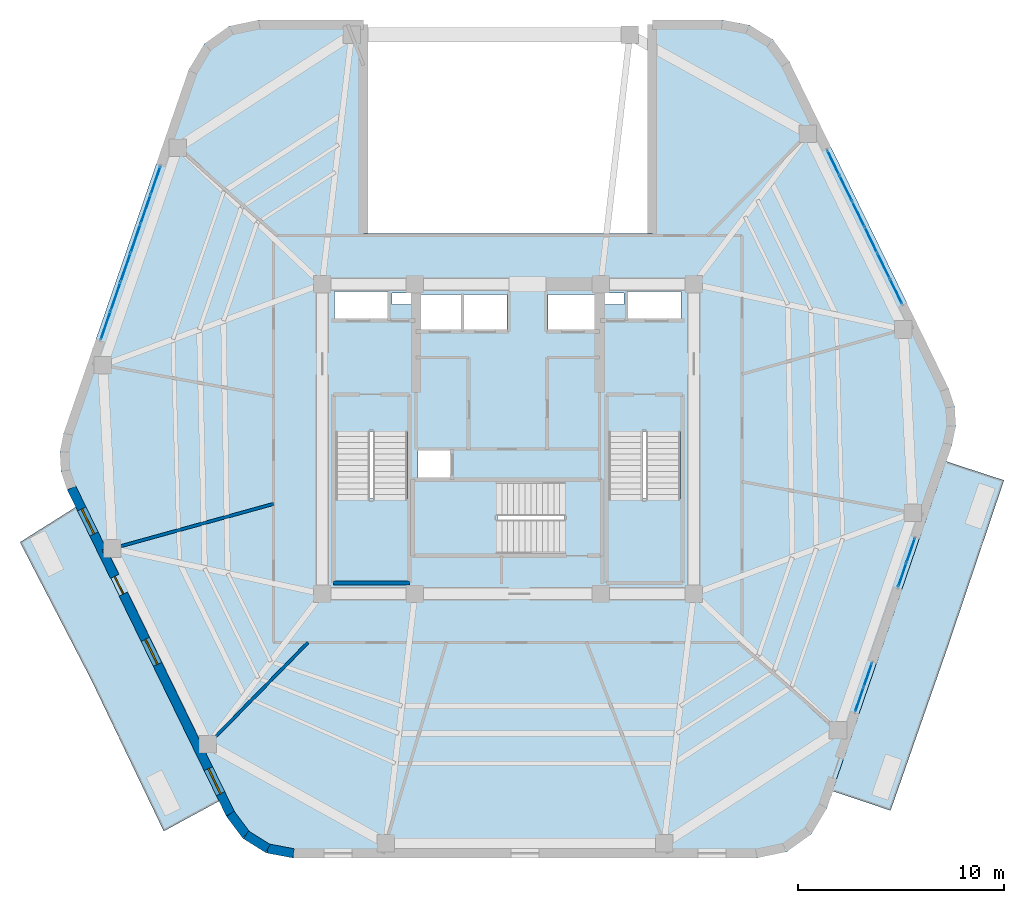
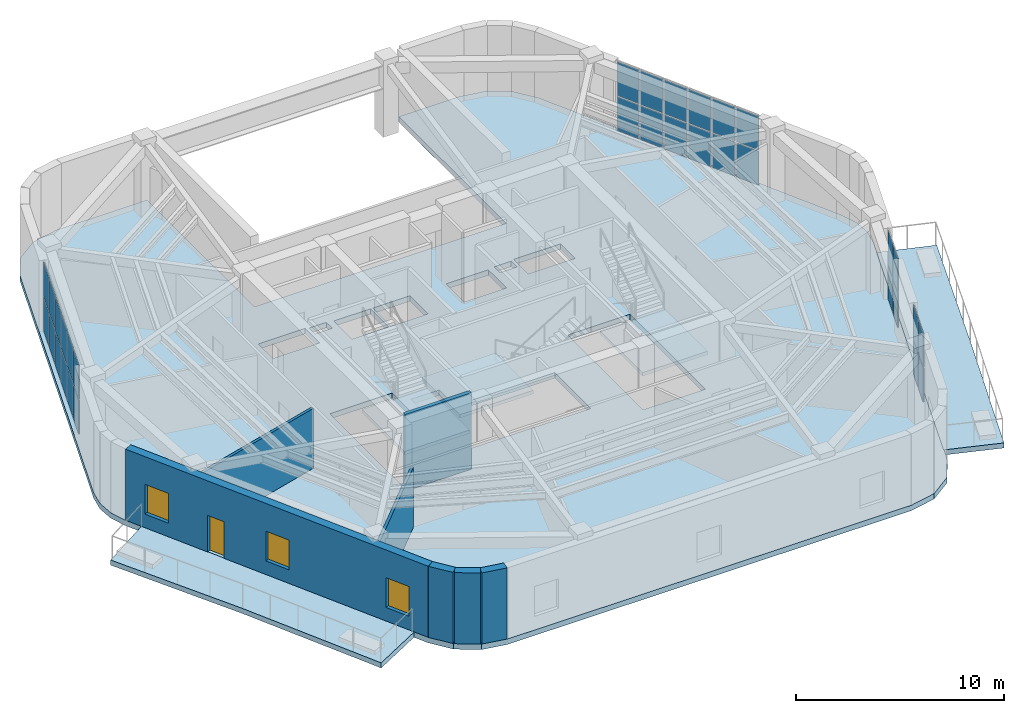
# One storey, part 10 of 15: 32 plates, 7 walls, 6 slabs, 3 windows, 1 door, 4 openings, 7 elements without a shape of their own.
"""IFC4 building model written with IfcOpenShell, lengths in metres."""

from ifc_helpers import new_model, si_unit, direction, frame, frame_2d, origin, origin_2d, place, context, subcontext, project, spatial, polyline, rectangle, outline, extrude, material, layer, layer_set, type_object, element, fill, aggregate, save


model = new_model("IFC4")

# Units and contexts
model_context = context("Model", 3, precision=1e-05, world=origin(), true_north=direction((0.0, 1.0)))
body_context = subcontext(model_context, "Body", "Model", "MODEL_VIEW")
ifc_project = project(units=[si_unit("LENGTHUNIT", "METRE"), si_unit("AREAUNIT", "SQUARE_METRE"), si_unit("VOLUMEUNIT", "CUBIC_METRE"), si_unit("PLANEANGLEUNIT", "RADIAN"), si_unit("MASSUNIT", "GRAM", prefix="KILO")], contexts=[model_context])

# Site, building, storey
site_placement = place(None, origin())
site = spatial("IfcSite", under=ifc_project, at=site_placement, CompositionType="ELEMENT")
building_placement = place(site_placement, origin())
building = spatial("IfcBuilding", under=site, at=building_placement, Name="Kilnhurst Terrace Hotel", CompositionType="ELEMENT")
storey_placement = place(building_placement, frame((0.0, 0.0, 293.10009765625)))
storey = spatial("IfcBuildingStorey", under=building, at=storey_placement, Name="L73", CompositionType="ELEMENT", Elevation=293.10009765625)

# Curtain wall, plates
ifc_material_1 = material(Name="Anodized Aluminium Alloy 6063-T6 and Low-E Glass", Category="aluminium")
ifc_layer_1 = layer(ifc_material_1, 0.219970703125, Name="Anodized Aluminium Alloy 6063-T6 and Low-E Glass")
ifc_layer_set_1 = layer_set([ifc_layer_1], Name="Anodized Aluminium Alloy 6063-T6 and Low-E Glass")
curtain_wall_type = type_object("IfcCurtainWallType", Name="CW-PORTAL-L72", PredefinedType="NOTDEFINED", material=ifc_layer_set_1)
curtain_wall_1_placement = place(storey_placement, origin())
curtain_wall_1 = element("IfcCurtainWall", 1, at=curtain_wall_1_placement, inside=storey, type_object=curtain_wall_type, Name="L73 Curtain Wall CW-L73-F2-1", PredefinedType="NOTDEFINED")
ifc_material_2 = material(Name="Triple Laminated Low-E Hurricane Insulated Glass", Category="glass")
ifc_layer_2 = layer(ifc_material_2, 0.0380859375, Name="Triple Laminated Low-E Hurricane Insulated Glass")
ifc_layer_set_2 = layer_set([ifc_layer_2], Name="Triple Laminated Low-E Hurricane Insulated Glass")
plate_type = type_object("IfcPlateType", Name="PNL-GLZ-38", PredefinedType="CURTAIN_PANEL", material=ifc_layer_set_2)
plate_1_placement = place(storey_placement, frame((17.03564453125, -12.617431640625, 0.06494140625), z_axis=(0.0, 0.0, 1.0), x_axis=(0.325409429323, 0.945573214145, 0.0)))
plate_1 = element("IfcPlate", 2, at=plate_1_placement, type_object=plate_type, Name="CWP-5 panel 1.1", PredefinedType="CURTAIN_PANEL", context=body_context, shape_type="SweptSolid", body=[
    extrude(rectangle(XDim=1.19091796875, YDim=0.0380859375, at=origin_2d()), origin(), (0.0, 0.0, 1.0), 1.992431640625),
])
plate_2_placement = place(storey_placement, frame((17.03564453125, -12.617431640625, 2.12255859375), z_axis=(0.0, 0.0, 1.0), x_axis=(0.325409429323, 0.945573214145, 0.0)))
plate_2 = element("IfcPlate", 3, at=plate_2_placement, type_object=plate_type, Name="CWP-5 panel 1.2", PredefinedType="CURTAIN_PANEL", context=body_context, shape_type="SweptSolid", body=[
    extrude(rectangle(XDim=1.19091796875, YDim=0.0380859375, at=origin_2d()), origin(), (0.0, 0.0, 1.0), 1.992431640625),
])
plate_3_placement = place(storey_placement, frame((17.444580078125, -11.429931640625, 0.06494140625), z_axis=(0.0, 0.0, 1.0), x_axis=(0.325409429323, 0.945573214145, 0.0)))
plate_3 = element("IfcPlate", 4, at=plate_3_placement, type_object=plate_type, Name="CWP-5 panel 2.1", PredefinedType="CURTAIN_PANEL", context=body_context, shape_type="SweptSolid", body=[
    extrude(rectangle(XDim=1.19091796875, YDim=0.0380859375, at=origin_2d()), origin(), (0.0, 0.0, 1.0), 1.992431640625),
])
plate_4_placement = place(storey_placement, frame((17.444580078125, -11.429931640625, 2.12255859375), z_axis=(0.0, 0.0, 1.0), x_axis=(0.325409429323, 0.945573214145, 0.0)))
plate_4 = element("IfcPlate", 5, at=plate_4_placement, type_object=plate_type, Name="CWP-5 panel 2.2", PredefinedType="CURTAIN_PANEL", context=body_context, shape_type="SweptSolid", body=[
    extrude(rectangle(XDim=1.19091796875, YDim=0.0380859375, at=origin_2d()), origin(), (0.0, 0.0, 1.0), 1.992431640625),
])
aggregate(curtain_wall_1, [plate_1, plate_2, plate_3, plate_4])

curtain_wall_2_placement = place(storey_placement, origin())
curtain_wall_2 = element("IfcCurtainWall", 6, at=curtain_wall_2_placement, inside=storey, type_object=curtain_wall_type, Name="L73 Curtain Wall CW-L73-F2-2", PredefinedType="NOTDEFINED")
plate_5_placement = place(storey_placement, frame((19.11083984375, -6.587646484375, 0.06494140625), z_axis=(0.0, 0.0, 1.0), x_axis=(0.325386673117, 0.945581045156, 0.0)))
plate_5 = element("IfcPlate", 7, at=plate_5_placement, type_object=plate_type, Name="CWP-5 panel 1.1", PredefinedType="CURTAIN_PANEL", context=body_context, shape_type="SweptSolid", body=[
    extrude(rectangle(XDim=1.19091796875, YDim=0.0380859375, at=origin_2d()), origin(), (0.0, 0.0, 1.0), 1.992431640625),
])
plate_6_placement = place(storey_placement, frame((19.11083984375, -6.587646484375, 2.12255859375), z_axis=(0.0, 0.0, 1.0), x_axis=(0.325386673117, 0.945581045156, 0.0)))
plate_6 = element("IfcPlate", 8, at=plate_6_placement, type_object=plate_type, Name="CWP-5 panel 1.2", PredefinedType="CURTAIN_PANEL", context=body_context, shape_type="SweptSolid", body=[
    extrude(rectangle(XDim=1.19091796875, YDim=0.0380859375, at=origin_2d()), origin(), (0.0, 0.0, 1.0), 1.992431640625),
])
plate_7_placement = place(storey_placement, frame((19.51953125, -5.39990234375, 0.06494140625), z_axis=(0.0, 0.0, 1.0), x_axis=(0.325386673117, 0.945581045156, 0.0)))
plate_7 = element("IfcPlate", 9, at=plate_7_placement, type_object=plate_type, Name="CWP-5 panel 2.1", PredefinedType="CURTAIN_PANEL", context=body_context, shape_type="SweptSolid", body=[
    extrude(rectangle(XDim=1.19091796875, YDim=0.0380859375, at=origin_2d()), origin(), (0.0, 0.0, 1.0), 1.992431640625),
])
plate_8_placement = place(storey_placement, frame((19.51953125, -5.39990234375, 2.12255859375), z_axis=(0.0, 0.0, 1.0), x_axis=(0.325386673117, 0.945581045156, 0.0)))
plate_8 = element("IfcPlate", 10, at=plate_8_placement, type_object=plate_type, Name="CWP-5 panel 2.2", PredefinedType="CURTAIN_PANEL", context=body_context, shape_type="SweptSolid", body=[
    extrude(rectangle(XDim=1.19091796875, YDim=0.0380859375, at=origin_2d()), origin(), (0.0, 0.0, 1.0), 1.992431640625),
])
aggregate(curtain_wall_2, [plate_5, plate_6, plate_7, plate_8])

curtain_wall_3_placement = place(storey_placement, origin())
curtain_wall_3 = element("IfcCurtainWall", 11, at=curtain_wall_3_placement, inside=storey, type_object=curtain_wall_type, Name="L73 Curtain Wall CW-L73-F3-1", PredefinedType="NOTDEFINED")
plate_9_placement = place(storey_placement, frame((18.808349609375, 7.151123046875, 0.06494140625), z_axis=(0.0, 0.0, 1.0), x_axis=(-0.438129526683, 0.898911852101, 0.0)))
plate_9 = element("IfcPlate", 12, at=plate_9_placement, type_object=plate_type, Name="CWP-5 panel 1.1", PredefinedType="CURTAIN_PANEL", context=body_context, shape_type="SweptSolid", body=[
    extrude(rectangle(XDim=1.2958984375, YDim=0.0380859375, at=origin_2d()), origin(), (0.0, 0.0, 1.0), 1.992431640625),
])
plate_10_placement = place(storey_placement, frame((18.808349609375, 7.151123046875, 2.12255859375), z_axis=(0.0, 0.0, 1.0), x_axis=(-0.438129526683, 0.898911852101, 0.0)))
plate_10 = element("IfcPlate", 13, at=plate_10_placement, type_object=plate_type, Name="CWP-5 panel 1.2", PredefinedType="CURTAIN_PANEL", context=body_context, shape_type="SweptSolid", body=[
    extrude(rectangle(XDim=1.2958984375, YDim=0.0380859375, at=origin_2d()), origin(), (0.0, 0.0, 1.0), 1.992431640625),
])
plate_11_placement = place(storey_placement, frame((18.205078125, 8.38916015625, 0.06494140625), z_axis=(0.0, 0.0, 1.0), x_axis=(-0.438129526683, 0.898911852101, 0.0)))
plate_11 = element("IfcPlate", 14, at=plate_11_placement, type_object=plate_type, Name="CWP-5 panel 2.1", PredefinedType="CURTAIN_PANEL", context=body_context, shape_type="SweptSolid", body=[
    extrude(rectangle(XDim=1.32861328125, YDim=0.0380859375, at=origin_2d()), origin(), (0.0, 0.0, 1.0), 1.992431640625),
])
plate_12_placement = place(storey_placement, frame((18.205078125, 8.38916015625, 2.12255859375), z_axis=(0.0, 0.0, 1.0), x_axis=(-0.438129526683, 0.898911852101, 0.0)))
plate_12 = element("IfcPlate", 15, at=plate_12_placement, type_object=plate_type, Name="CWP-5 panel 2.2", PredefinedType="CURTAIN_PANEL", context=body_context, shape_type="SweptSolid", body=[
    extrude(rectangle(XDim=1.32861328125, YDim=0.0380859375, at=origin_2d()), origin(), (0.0, 0.0, 1.0), 1.992431640625),
])
plate_13_placement = place(storey_placement, frame((17.594482421875, 9.641845703125, 0.06494140625), z_axis=(0.0, 0.0, 1.0), x_axis=(-0.438129526683, 0.898911852101, 0.0)))
plate_13 = element("IfcPlate", 16, at=plate_13_placement, type_object=plate_type, Name="CWP-5 panel 3.1", PredefinedType="CURTAIN_PANEL", context=body_context, shape_type="SweptSolid", body=[
    extrude(rectangle(XDim=1.32861328125, YDim=0.0380859375, at=origin_2d()), origin(), (0.0, 0.0, 1.0), 1.992431640625),
])
plate_14_placement = place(storey_placement, frame((17.594482421875, 9.641845703125, 2.12255859375), z_axis=(0.0, 0.0, 1.0), x_axis=(-0.438129526683, 0.898911852101, 0.0)))
plate_14 = element("IfcPlate", 17, at=plate_14_placement, type_object=plate_type, Name="CWP-5 panel 3.2", PredefinedType="CURTAIN_PANEL", context=body_context, shape_type="SweptSolid", body=[
    extrude(rectangle(XDim=1.32861328125, YDim=0.0380859375, at=origin_2d()), origin(), (0.0, 0.0, 1.0), 1.992431640625),
])
plate_15_placement = place(storey_placement, frame((16.98388671875, 10.89453125, 0.06494140625), z_axis=(0.0, 0.0, 1.0), x_axis=(-0.438129526683, 0.898911852101, 0.0)))
plate_15 = element("IfcPlate", 18, at=plate_15_placement, type_object=plate_type, Name="CWP-5 panel 4.1", PredefinedType="CURTAIN_PANEL", context=body_context, shape_type="SweptSolid", body=[
    extrude(rectangle(XDim=1.32861328125, YDim=0.0380859375, at=origin_2d()), origin(), (0.0, 0.0, 1.0), 1.992431640625),
])
plate_16_placement = place(storey_placement, frame((16.98388671875, 10.89453125, 2.12255859375), z_axis=(0.0, 0.0, 1.0), x_axis=(-0.438129526683, 0.898911852101, 0.0)))
plate_16 = element("IfcPlate", 19, at=plate_16_placement, type_object=plate_type, Name="CWP-5 panel 4.2", PredefinedType="CURTAIN_PANEL", context=body_context, shape_type="SweptSolid", body=[
    extrude(rectangle(XDim=1.32861328125, YDim=0.0380859375, at=origin_2d()), origin(), (0.0, 0.0, 1.0), 1.992431640625),
])
plate_17_placement = place(storey_placement, frame((16.373291015625, 12.147216796875, 0.06494140625), z_axis=(0.0, 0.0, 1.0), x_axis=(-0.438129526683, 0.898911852101, 0.0)))
plate_17 = element("IfcPlate", 20, at=plate_17_placement, type_object=plate_type, Name="CWP-5 panel 5.1", PredefinedType="CURTAIN_PANEL", context=body_context, shape_type="SweptSolid", body=[
    extrude(rectangle(XDim=1.32861328125, YDim=0.0380859375, at=origin_2d()), origin(), (0.0, 0.0, 1.0), 1.992431640625),
])
plate_18_placement = place(storey_placement, frame((16.373291015625, 12.147216796875, 2.12255859375), z_axis=(0.0, 0.0, 1.0), x_axis=(-0.438129526683, 0.898911852101, 0.0)))
plate_18 = element("IfcPlate", 21, at=plate_18_placement, type_object=plate_type, Name="CWP-5 panel 5.2", PredefinedType="CURTAIN_PANEL", context=body_context, shape_type="SweptSolid", body=[
    extrude(rectangle(XDim=1.32861328125, YDim=0.0380859375, at=origin_2d()), origin(), (0.0, 0.0, 1.0), 1.992431640625),
])
plate_19_placement = place(storey_placement, frame((15.77001953125, 13.38525390625, 0.06494140625), z_axis=(0.0, 0.0, 1.0), x_axis=(-0.438129526683, 0.898911852101, 0.0)))
plate_19 = element("IfcPlate", 22, at=plate_19_placement, type_object=plate_type, Name="CWP-5 panel 6.1", PredefinedType="CURTAIN_PANEL", context=body_context, shape_type="SweptSolid", body=[
    extrude(rectangle(XDim=1.2958984375, YDim=0.0380859375, at=origin_2d()), origin(), (0.0, 0.0, 1.0), 1.992431640625),
])
plate_20_placement = place(storey_placement, frame((15.77001953125, 13.38525390625, 2.12255859375), z_axis=(0.0, 0.0, 1.0), x_axis=(-0.438129526683, 0.898911852101, 0.0)))
plate_20 = element("IfcPlate", 23, at=plate_20_placement, type_object=plate_type, Name="CWP-5 panel 6.2", PredefinedType="CURTAIN_PANEL", context=body_context, shape_type="SweptSolid", body=[
    extrude(rectangle(XDim=1.2958984375, YDim=0.0380859375, at=origin_2d()), origin(), (0.0, 0.0, 1.0), 1.992431640625),
])
aggregate(curtain_wall_3, [plate_9, plate_10, plate_11, plate_12, plate_13, plate_14, plate_15, plate_16, plate_17, plate_18, plate_19, plate_20])

curtain_wall_4_placement = place(storey_placement, origin())
curtain_wall_4 = element("IfcCurtainWall", 24, at=curtain_wall_4_placement, inside=storey, type_object=curtain_wall_type, Name="L73 Curtain Wall CW-L73-F5-1", PredefinedType="NOTDEFINED")
plate_21_placement = place(storey_placement, frame((-17.06884765625, 12.521240234375, 0.06494140625), z_axis=(0.0, 0.0, 1.0), x_axis=(-0.325396556387, -0.945577644137, 0.0)))
plate_21 = element("IfcPlate", 25, at=plate_21_placement, type_object=plate_type, Name="CWP-5 panel 1.1", PredefinedType="CURTAIN_PANEL", context=body_context, shape_type="SweptSolid", body=[
    extrude(rectangle(XDim=1.394775390625, YDim=0.0380859375, at=origin_2d()), origin(), (0.0, 0.0, 1.0), 1.992431640625),
])
plate_22_placement = place(storey_placement, frame((-17.06884765625, 12.521240234375, 2.12255859375), z_axis=(0.0, 0.0, 1.0), x_axis=(-0.325396556387, -0.945577644137, 0.0)))
plate_22 = element("IfcPlate", 26, at=plate_22_placement, type_object=plate_type, Name="CWP-5 panel 1.2", PredefinedType="CURTAIN_PANEL", context=body_context, shape_type="SweptSolid", body=[
    extrude(rectangle(XDim=1.394775390625, YDim=0.0380859375, at=origin_2d()), origin(), (0.0, 0.0, 1.0), 1.992431640625),
])
plate_23_placement = place(storey_placement, frame((-17.54931640625, 11.12548828125, 0.06494140625), z_axis=(0.0, 0.0, 1.0), x_axis=(-0.325396556387, -0.945577644137, 0.0)))
plate_23 = element("IfcPlate", 27, at=plate_23_placement, type_object=plate_type, Name="CWP-5 panel 2.1", PredefinedType="CURTAIN_PANEL", context=body_context, shape_type="SweptSolid", body=[
    extrude(rectangle(XDim=1.42724609375, YDim=0.0380859375, at=origin_2d()), origin(), (0.0, 0.0, 1.0), 1.992431640625),
])
plate_24_placement = place(storey_placement, frame((-17.54931640625, 11.12548828125, 2.12255859375), z_axis=(0.0, 0.0, 1.0), x_axis=(-0.325396556387, -0.945577644137, 0.0)))
plate_24 = element("IfcPlate", 28, at=plate_24_placement, type_object=plate_type, Name="CWP-5 panel 2.2", PredefinedType="CURTAIN_PANEL", context=body_context, shape_type="SweptSolid", body=[
    extrude(rectangle(XDim=1.42724609375, YDim=0.0380859375, at=origin_2d()), origin(), (0.0, 0.0, 1.0), 1.992431640625),
])
plate_25_placement = place(storey_placement, frame((-18.034912109375, 9.71435546875, 0.06494140625), z_axis=(0.0, 0.0, 1.0), x_axis=(-0.325396556387, -0.945577644137, 0.0)))
plate_25 = element("IfcPlate", 29, at=plate_25_placement, type_object=plate_type, Name="CWP-5 panel 3.1", PredefinedType="CURTAIN_PANEL", context=body_context, shape_type="SweptSolid", body=[
    extrude(rectangle(XDim=1.42724609375, YDim=0.0380859375, at=origin_2d()), origin(), (0.0, 0.0, 1.0), 1.992431640625),
])
plate_26_placement = place(storey_placement, frame((-18.034912109375, 9.71435546875, 2.12255859375), z_axis=(0.0, 0.0, 1.0), x_axis=(-0.325396556387, -0.945577644137, 0.0)))
plate_26 = element("IfcPlate", 30, at=plate_26_placement, type_object=plate_type, Name="CWP-5 panel 3.2", PredefinedType="CURTAIN_PANEL", context=body_context, shape_type="SweptSolid", body=[
    extrude(rectangle(XDim=1.42724609375, YDim=0.0380859375, at=origin_2d()), origin(), (0.0, 0.0, 1.0), 1.992431640625),
])
plate_27_placement = place(storey_placement, frame((-18.5205078125, 8.30322265625, 0.06494140625), z_axis=(0.0, 0.0, 1.0), x_axis=(-0.325396556387, -0.945577644137, 0.0)))
plate_27 = element("IfcPlate", 31, at=plate_27_placement, type_object=plate_type, Name="CWP-5 panel 4.1", PredefinedType="CURTAIN_PANEL", context=body_context, shape_type="SweptSolid", body=[
    extrude(rectangle(XDim=1.42724609375, YDim=0.0380859375, at=origin_2d()), origin(), (0.0, 0.0, 1.0), 1.992431640625),
])
plate_28_placement = place(storey_placement, frame((-18.5205078125, 8.30322265625, 2.12255859375), z_axis=(0.0, 0.0, 1.0), x_axis=(-0.325396556387, -0.945577644137, 0.0)))
plate_28 = element("IfcPlate", 32, at=plate_28_placement, type_object=plate_type, Name="CWP-5 panel 4.2", PredefinedType="CURTAIN_PANEL", context=body_context, shape_type="SweptSolid", body=[
    extrude(rectangle(XDim=1.42724609375, YDim=0.0380859375, at=origin_2d()), origin(), (0.0, 0.0, 1.0), 1.992431640625),
])
plate_29_placement = place(storey_placement, frame((-19.006103515625, 6.89208984375, 0.06494140625), z_axis=(0.0, 0.0, 1.0), x_axis=(-0.325396556387, -0.945577644137, 0.0)))
plate_29 = element("IfcPlate", 33, at=plate_29_placement, type_object=plate_type, Name="CWP-5 panel 5.1", PredefinedType="CURTAIN_PANEL", context=body_context, shape_type="SweptSolid", body=[
    extrude(rectangle(XDim=1.42724609375, YDim=0.0380859375, at=origin_2d()), origin(), (0.0, 0.0, 1.0), 1.992431640625),
])
plate_30_placement = place(storey_placement, frame((-19.006103515625, 6.89208984375, 2.12255859375), z_axis=(0.0, 0.0, 1.0), x_axis=(-0.325396556387, -0.945577644137, 0.0)))
plate_30 = element("IfcPlate", 34, at=plate_30_placement, type_object=plate_type, Name="CWP-5 panel 5.2", PredefinedType="CURTAIN_PANEL", context=body_context, shape_type="SweptSolid", body=[
    extrude(rectangle(XDim=1.42724609375, YDim=0.0380859375, at=origin_2d()), origin(), (0.0, 0.0, 1.0), 1.992431640625),
])
plate_31_placement = place(storey_placement, frame((-19.486328125, 5.496337890625, 0.06494140625), z_axis=(0.0, 0.0, 1.0), x_axis=(-0.325396556387, -0.945577644137, 0.0)))
plate_31 = element("IfcPlate", 35, at=plate_31_placement, type_object=plate_type, Name="CWP-5 panel 6.1", PredefinedType="CURTAIN_PANEL", context=body_context, shape_type="SweptSolid", body=[
    extrude(rectangle(XDim=1.394775390625, YDim=0.0380859375, at=origin_2d()), origin(), (0.0, 0.0, 1.0), 1.992431640625),
])
plate_32_placement = place(storey_placement, frame((-19.486328125, 5.496337890625, 2.12255859375), z_axis=(0.0, 0.0, 1.0), x_axis=(-0.325396556387, -0.945577644137, 0.0)))
plate_32 = element("IfcPlate", 36, at=plate_32_placement, type_object=plate_type, Name="CWP-5 panel 6.2", PredefinedType="CURTAIN_PANEL", context=body_context, shape_type="SweptSolid", body=[
    extrude(rectangle(XDim=1.394775390625, YDim=0.0380859375, at=origin_2d()), origin(), (0.0, 0.0, 1.0), 1.992431640625),
])
aggregate(curtain_wall_4, [plate_21, plate_22, plate_23, plate_24, plate_25, plate_26, plate_27, plate_28, plate_29, plate_30, plate_31, plate_32])

# Slabs
ifc_material_3 = material(Name="Concrete C50/60", Category="concrete")
ifc_layer_3 = layer(ifc_material_3, 0.300048828125, Name="Concrete C50/60")
ifc_layer_set_3 = layer_set([ifc_layer_3], Name="Concrete C50/60")
slab_type_1 = type_object("IfcSlabType", Name="SLB-BAL-300", PredefinedType="FLOOR", material=ifc_layer_set_3)
slab_1_placement = place(storey_placement, frame((0.0, 0.0, -0.300048828125)))
element("IfcSlab", 37, at=slab_1_placement, inside=storey, type_object=slab_type_1, Name="L73 Cantilevered Planted Terrace Slab BAL-L1A", PredefinedType="FLOOR", context=body_context, shape_type="SweptSolid", body=[
    extrude(outline(polyline([(21.317626953125, -10.054931640625), (18.541259765625, -18.0), (15.725341796875, -17.0556640625), (21.223388671875, -1.0791015625), (24.037353515625, -2.0), (21.317626953125, -10.054931640625)])), origin(), (0.0, 0.0, 1.0), 0.300048828125),
])
slab_2_placement = place(storey_placement, frame((0.0, 0.0, -0.300048828125)))
element("IfcSlab", 38, at=slab_2_placement, inside=storey, type_object=slab_type_1, Name="L73 Cantilevered Planted Terrace Slab BAL-L2A", PredefinedType="FLOOR", context=body_context, shape_type="SweptSolid", body=[
    extrude(outline(polyline([(-23.635498046875, -5.0), (-20.920166015625, -3.28662109375), (-13.9755859375, -17.534912109375), (-16.669189453125, -19.0), (-20.17919921875, -11.6767578125), (-23.635498046875, -5.0)])), origin(), (0.0, 0.0, 1.0), 0.300048828125),
])
ifc_layer_4 = layer(ifc_material_3, 0.320068359375, Name="Concrete C50/60")
ifc_layer_set_4 = layer_set([ifc_layer_4], Name="Concrete C50/60")
slab_type_2 = type_object("IfcSlabType", Name="SLB-FLR-320", PredefinedType="FLOOR", material=ifc_layer_set_4)
slab_3_placement = place(storey_placement, frame((0.0, 0.0, -0.320068359375)))
element("IfcSlab", 39, at=slab_3_placement, inside=storey, type_object=slab_type_2, Name="L73 Indoor Floor Slab Around Wind Portal", PredefinedType="FLOOR", context=body_context, shape_type="SweptSolid", body=[
    extrude(outline(polyline([(10.39990234375, 20.300048828125), (11.709716796875, 20.05322265625), (12.840087890625, 19.3466796875), (13.635986328125, 18.27734375), (21.34716796875, 2.4560546875), (21.64501953125, 1.565185546875), (21.7021484375, 0.627685546875), (21.51513671875, -0.29248046875), (15.4658203125, -17.871337890625), (14.708984375, -19.139404296875), (13.5068359375, -19.9970703125), (12.061767578125, -20.300048828125), (-10.39990234375, -20.300048828125), (-11.709716796875, -20.05322265625), (-12.840087890625, -19.3466796875), (-13.635986328125, -18.27734375), (-21.34716796875, -2.4560546875), (-21.64501953125, -1.565185546875), (-21.7021484375, -0.627685546875), (-21.51513671875, 0.29248046875), (-15.4658203125, 17.871337890625), (-14.708984375, 19.139404296875), (-13.5068359375, 19.9970703125), (-12.061767578125, 20.300048828125), (-7.0, 20.300048828125), (-7.0, 9.949951171875), (7.0, 9.949951171875), (7.0, 20.300048828125), (10.39990234375, 20.300048828125)]), holes=[polyline([(-4.8798828125, 0.35498046875), (-4.8798828125, -6.89990234375), (-8.35009765625, -6.89990234375), (-8.35009765625, 0.35498046875), (-4.8798828125, 0.35498046875)]), polyline([(-4.35009765625, -1.89990234375), (-4.35009765625, -0.550048828125), (-2.800048828125, -0.550048828125), (-2.800048828125, -1.89990234375), (-4.35009765625, -1.89990234375)]), polyline([(-4.300048828125, 5.25), (-4.300048828125, 7.0), (-2.25, 7.0), (-2.25, 5.25), (-4.300048828125, 5.25)]), polyline([(-2.1201171875, 7.0), (-0.050048828125, 7.0), (-0.050048828125, 5.25), (-2.1201171875, 5.25), (-2.1201171875, 7.0)]), polyline([(-8.39990234375, 7.14990234375), (-5.800048828125, 7.14990234375), (-5.800048828125, 5.75), (-8.39990234375, 5.75), (-8.39990234375, 7.14990234375)]), polyline([(-5.6201171875, 6.52001953125), (-5.6201171875, 7.080078125), (-4.659912109375, 7.080078125), (-4.659912109375, 6.52001953125), (-5.6201171875, 6.52001953125)]), polyline([(-4.5, -5.550048828125), (-4.5, -2.080078125), (2.7548828125, -2.080078125), (2.7548828125, -5.550048828125), (-4.5, -5.550048828125)]), polyline([(8.35009765625, -6.89990234375), (4.8798828125, -6.89990234375), (4.8798828125, 0.35498046875), (8.35009765625, 0.35498046875), (8.35009765625, -6.89990234375)]), polyline([(1.949951171875, 5.25), (1.949951171875, 7.0), (4.300048828125, 7.0), (4.300048828125, 5.25), (1.949951171875, 5.25)]), polyline([(5.800048828125, 7.14990234375), (8.39990234375, 7.14990234375), (8.39990234375, 5.75), (5.800048828125, 5.75), (5.800048828125, 7.14990234375)]), polyline([(4.659912109375, 7.080078125), (5.6201171875, 7.080078125), (5.6201171875, 6.52001953125), (4.659912109375, 6.52001953125), (4.659912109375, 7.080078125)])]), origin(), (0.0, 0.0, 1.0), 0.320068359375),
])

# Stair, slab
stair_type = type_object("IfcStairType", Name="STR-CORE-1660", PredefinedType="HALF_TURN_STAIR", material=ifc_material_3)
stair_1_placement = place(storey_placement, origin())
stair_1 = element("IfcStair", 40, at=stair_1_placement, inside=storey, type_object=stair_type, Name="L73 ST-1", PredefinedType="HALF_TURN_STAIR")
ifc_layer_5 = layer(ifc_material_3, 0.199951171875, Name="Concrete C50/60")
ifc_layer_set_5 = layer_set([ifc_layer_5], Name="Concrete C50/60")
slab_type_3 = type_object("IfcSlabType", Name="SLB-ST-LND-200", PredefinedType="LANDING", material=ifc_layer_set_5)
slab_4_placement = place(storey_placement, frame((0.0, 0.0, 2.0498046875)))
slab_4 = element("IfcSlab", 41, at=slab_4_placement, type_object=slab_type_3, Name="ST-1 landing 1", PredefinedType="LANDING", context=body_context, shape_type="SweptSolid", body=[
    extrude(outline(polyline([(-8.429931640625, -2.889892578125), (-4.800048828125, -2.889892578125), (-4.800048828125, -6.97998046875), (-8.429931640625, -6.97998046875), (-8.429931640625, -2.889892578125)])), origin(), (0.0, 0.0, 1.0), 0.2001953125),
])
aggregate(stair_1, [slab_4])

stair_2_placement = place(storey_placement, origin())
stair_2 = element("IfcStair", 42, at=stair_2_placement, inside=storey, type_object=stair_type, Name="L73 ST-2", PredefinedType="HALF_TURN_STAIR")
slab_5_placement = place(storey_placement, frame((0.0, 0.0, 2.0498046875)))
slab_5 = element("IfcSlab", 43, at=slab_5_placement, type_object=slab_type_3, Name="ST-2 landing 1", PredefinedType="LANDING", context=body_context, shape_type="SweptSolid", body=[
    extrude(outline(polyline([(4.800048828125, -2.889892578125), (8.429931640625, -2.889892578125), (8.429931640625, -6.97998046875), (4.800048828125, -6.97998046875), (4.800048828125, -2.889892578125)])), origin(), (0.0, 0.0, 1.0), 0.2001953125),
])
aggregate(stair_2, [slab_5])

stair_3_placement = place(storey_placement, origin())
stair_3 = element("IfcStair", 44, at=stair_3_placement, inside=storey, type_object=stair_type, Name="L73 ST-3", PredefinedType="HALF_TURN_STAIR")
slab_6_placement = place(storey_placement, frame((0.0, 0.0, 2.0498046875)))
slab_6 = element("IfcSlab", 45, at=slab_6_placement, type_object=slab_type_3, Name="ST-3 landing 1", PredefinedType="LANDING", context=body_context, shape_type="SweptSolid", body=[
    extrude(outline(polyline([(-0.489990234375, -2.0), (-0.489990234375, -5.6298828125), (-4.580078125, -5.6298828125), (-4.580078125, -2.0), (-0.489990234375, -2.0)])), origin(), (0.0, 0.0, 1.0), 0.2001953125),
])
aggregate(stair_3, [slab_6])

# Walls
ifc_material_4 = material(Name="Precast concrete C40/50", Category="concrete")
ifc_layer_6 = layer(ifc_material_4, 0.449951171875, Name="Precast concrete C40/50")
ifc_layer_set_6 = layer_set([ifc_layer_6], Name="Precast concrete C40/50")
wall_type_1 = type_object("IfcWallType", Name="WL-BRK-450", PredefinedType="SOLIDWALL", material=ifc_layer_set_6)
wall_1_placement = place(storey_placement, frame((-13.44287109375, -18.159912109375, 0.0), z_axis=(0.0, 0.0, 1.0), x_axis=(0.597042425808, -0.802209661987, 0.0)))
element("IfcWall", 46, at=wall_1_placement, inside=storey, type_object=wall_type_1, Name="L73 Rounded Corner Brick Wall C1.1", PredefinedType="SOLIDWALL", context=body_context, shape_type="SweptSolid", body=[
    extrude(rectangle(XDim=1.269775390625, YDim=0.449951171875, at=frame_2d((0.634765625, 0.0))), origin(), (0.0, 0.0, 1.0), 4.179931640625),
])
wall_2_placement = place(storey_placement, frame((-12.684814453125, -19.178466796875, 0.0), z_axis=(0.0, 0.0, 1.0), x_axis=(0.848031272749, -0.529946186362, 0.0)))
element("IfcWall", 47, at=wall_2_placement, inside=storey, type_object=wall_type_1, Name="L73 Rounded Corner Brick Wall C1.2", PredefinedType="SOLIDWALL", context=body_context, shape_type="SweptSolid", body=[
    extrude(rectangle(XDim=1.248046875, YDim=0.449951171875, at=frame_2d((0.6240234375, 0.0))), origin(), (0.0, 0.0, 1.0), 4.179931640625),
])
wall_3_placement = place(storey_placement, frame((-11.62646484375, -19.83984375, 0.0), z_axis=(0.0, 0.0, 1.0), x_axis=(0.982701956681, -0.185194126083, 0.0)))
element("IfcWall", 48, at=wall_3_placement, inside=storey, type_object=wall_type_1, Name="L73 Rounded Corner Brick Wall C1.3", PredefinedType="SOLIDWALL", context=body_context, shape_type="SweptSolid", body=[
    extrude(rectangle(XDim=1.26953125, YDim=0.449951171875, at=frame_2d((0.634765625, 0.0))), origin(), (0.0, 0.0, 1.0), 4.179931640625),
])

# Wall, openings, door, windows
wall_4_placement = place(storey_placement, frame((-21.138427734375, -2.370849609375, 0.0), z_axis=(0.0, 0.0, 1.0), x_axis=(0.438128124058, -0.89891253574, 0.0)))
wall_4 = element("IfcWall", 49, at=wall_4_placement, inside=storey, type_object=wall_type_1, Name="L73 Exterior Brick Facade Wall F6", PredefinedType="SOLIDWALL", context=body_context, shape_type="SweptSolid", body=[
    extrude(rectangle(XDim=17.564697265625, YDim=0.449951171875, at=frame_2d((8.7822265625, 0.0))), origin(), (0.0, 0.0, 1.0), 4.179931640625),
])
opening_1_placement = place(wall_4_placement, frame((4.76904296875, 0.0, 0.0)))
opening_1 = element("IfcOpeningElement", 50, at=opening_1_placement, cuts=wall_4, Name="Opening BD-950", PredefinedType="OPENING", context=body_context, shape_type="SweptSolid", body=[
    extrude(rectangle(XDim=0.949951171875, YDim=2.14990234375, at=frame_2d((0.47509765625, 1.074951171875))), frame((0.0, 0.23486328125, 0.0), z_axis=(0.0, -1.0, 0.0), x_axis=(1.0, 0.0, 0.0)), (0.0, 0.0, 1.0), 0.469970703125),
])
opening_2_placement = place(wall_4_placement, frame((1.133056640625, 0.0, 0.800048828125)))
opening_2 = element("IfcOpeningElement", 51, at=opening_2_placement, cuts=wall_4, Name="Opening W-06", PredefinedType="OPENING", context=body_context, shape_type="SweptSolid", body=[
    extrude(rectangle(XDim=1.35009765625, YDim=1.75, at=frame_2d((0.675048828125, 0.875))), frame((0.0, 0.23486328125, 0.0), z_axis=(0.0, -1.0, 0.0), x_axis=(1.0, 0.0, 0.0)), (0.0, 0.0, 1.0), 0.469970703125),
])
opening_3_placement = place(wall_4_placement, frame((8.157958984375, 0.0, 0.800048828125)))
opening_3 = element("IfcOpeningElement", 52, at=opening_3_placement, cuts=wall_4, Name="Opening W-06", PredefinedType="OPENING", context=body_context, shape_type="SweptSolid", body=[
    extrude(rectangle(XDim=1.35009765625, YDim=1.75, at=frame_2d((0.675048828125, 0.875))), frame((0.0, 0.23486328125, 0.0), z_axis=(0.0, -1.0, 0.0), x_axis=(1.0, 0.0, 0.0)), (0.0, 0.0, 1.0), 0.469970703125),
])
opening_4_placement = place(wall_4_placement, frame((15.132080078125, 0.0, 0.800048828125)))
opening_4 = element("IfcOpeningElement", 53, at=opening_4_placement, cuts=wall_4, Name="Opening W-06", PredefinedType="OPENING", context=body_context, shape_type="SweptSolid", body=[
    extrude(rectangle(XDim=1.35009765625, YDim=1.75, at=frame_2d((0.675048828125, 0.875))), frame((0.0, 0.23486328125, 0.0), z_axis=(0.0, -1.0, 0.0), x_axis=(1.0, 0.0, 0.0)), (0.0, 0.0, 1.0), 0.469970703125),
])
ifc_material_5 = material(Name="Thermally Broken Bronze Aluminium Alloy 6063-T6 and Laminated Glass", Category="aluminium")
door_type = type_object("IfcDoorType", Name="DR-EXT-BAL-950", OperationType="NOTDEFINED", PredefinedType="DOOR", material=ifc_material_5)
door_placement = place(opening_1_placement, origin())
door = element("IfcDoor", 54, at=door_placement, inside=storey, type_object=door_type, Name="L73 Planted Balcony Door BAL-L2A", OperationType="SINGLE_SWING_RIGHT", OverallHeight=2.14990234375, OverallWidth=0.949951171875, PredefinedType="DOOR", context=body_context, shape_type="SweptSolid", body=[
    extrude(rectangle(XDim=0.949951171875, YDim=2.14990234375, at=frame_2d((0.47509765625, 1.074951171875))), frame((0.0, 0.02490234375, 0.0), z_axis=(0.0, -1.0, 0.0), x_axis=(1.0, 0.0, 0.0)), (0.0, 0.0, 1.0), 0.050048828125),
])
fill(opening_1, door)
ifc_material_6 = material(Name="Thermally Broken Bronze Aluminium Alloy 6063-T6 and Low-E Glass", Category="aluminium")
window_type = type_object("IfcWindowType", Name="WIN-1350X1750", PartitioningType="SINGLE_PANEL", PredefinedType="WINDOW", material=ifc_material_6)
window_1_placement = place(opening_2_placement, origin())
window_1 = element("IfcWindow", 55, at=window_1_placement, inside=storey, type_object=window_type, Name="L73 Deep-Set Masonry Window F6.1", OverallHeight=1.75, OverallWidth=1.35009765625, PartitioningType="SINGLE_PANEL", PredefinedType="WINDOW", context=body_context, shape_type="SweptSolid", body=[
    extrude(rectangle(XDim=1.35009765625, YDim=1.75, at=frame_2d((0.675048828125, 0.875))), frame((0.0, 0.030029296875, 0.0), z_axis=(0.0, -1.0, 0.0), x_axis=(1.0, 0.0, 0.0)), (0.0, 0.0, 1.0), 0.06005859375),
])
fill(opening_2, window_1)
window_2_placement = place(opening_3_placement, origin())
window_2 = element("IfcWindow", 56, at=window_2_placement, inside=storey, type_object=window_type, Name="L73 Deep-Set Masonry Window F6.2", OverallHeight=1.75, OverallWidth=1.35009765625, PartitioningType="SINGLE_PANEL", PredefinedType="WINDOW", context=body_context, shape_type="SweptSolid", body=[
    extrude(rectangle(XDim=1.35009765625, YDim=1.75, at=frame_2d((0.675048828125, 0.875))), frame((0.0, 0.030029296875, 0.0), z_axis=(0.0, -1.0, 0.0), x_axis=(1.0, 0.0, 0.0)), (0.0, 0.0, 1.0), 0.06005859375),
])
fill(opening_3, window_2)
window_3_placement = place(opening_4_placement, origin())
window_3 = element("IfcWindow", 57, at=window_3_placement, inside=storey, type_object=window_type, Name="L73 Deep-Set Masonry Window F6.3", OverallHeight=1.75, OverallWidth=1.35009765625, PartitioningType="SINGLE_PANEL", PredefinedType="WINDOW", context=body_context, shape_type="SweptSolid", body=[
    extrude(rectangle(XDim=1.35009765625, YDim=1.75, at=frame_2d((0.675048828125, 0.875))), frame((0.0, 0.030029296875, 0.0), z_axis=(0.0, -1.0, 0.0), x_axis=(1.0, 0.0, 0.0)), (0.0, 0.0, 1.0), 0.06005859375),
])
fill(opening_4, window_3)

# Walls
ifc_material_7 = material(Name="150 mm Acoustic Gypsum Hospitality Partition")
ifc_layer_7 = layer(ifc_material_7, 0.14990234375, Name="150 mm Acoustic Gypsum Hospitality Partition")
ifc_layer_set_7 = layer_set([ifc_layer_7], Name="150 mm Acoustic Gypsum Hospitality Partition")
wall_type_2 = type_object("IfcWallType", Name="WL-PART-150", PredefinedType="PARTITIONING", material=ifc_layer_set_7)
wall_5_placement = place(storey_placement, frame((-11.35009765625, -3.142822265625, 0.0), z_axis=(0.0, 0.0, 1.0), x_axis=(-0.963731818141, -0.266872596386, 0.0)))
element("IfcWall", 58, at=wall_5_placement, inside=storey, type_object=wall_type_2, Name="L73 Interior Wall WL-L73-SCOL-07-1", PredefinedType="PARTITIONING", context=body_context, shape_type="SweptSolid", body=[
    extrude(rectangle(XDim=8.604736328125, YDim=0.14990234375, at=frame_2d((4.30224609375, 0.0))), origin(), (0.0, 0.0, 1.0), 3.52001953125),
])
wall_6_placement = place(storey_placement, frame((-9.67236328125, -9.85009765625, 0.0), z_axis=(0.0, 0.0, 1.0), x_axis=(-0.700629771301, -0.713524998558, 0.0)))
element("IfcWall", 59, at=wall_6_placement, inside=storey, type_object=wall_type_2, Name="L73 Interior Wall WL-L73-SCOL-08-1", PredefinedType="PARTITIONING", context=body_context, shape_type="SweptSolid", body=[
    extrude(rectangle(XDim=7.45947265625, YDim=0.14990234375, at=frame_2d((3.729736328125, 0.0))), origin(), (0.0, 0.0, 1.0), 3.52001953125),
])
ifc_layer_8 = layer(ifc_material_3, 0.199951171875, Name="Concrete C50/60")
ifc_layer_set_8 = layer_set([ifc_layer_8], Name="Concrete C50/60")
wall_type_3 = type_object("IfcWallType", Name="WL-STAIR-RC-200", PredefinedType="SHEAR", material=ifc_layer_set_8)
wall_7_placement = place(storey_placement, frame((-8.4580078125, -6.985107421875, 0.0), z_axis=(0.0, 0.0, 1.0), x_axis=(1.0, 0.0, 0.0)))
element("IfcWall", 60, at=wall_7_placement, inside=storey, type_object=wall_type_3, Name="L73 Structural Stair Shaft Wall WL-L73-ST1-S", PredefinedType="SHEAR", context=body_context, shape_type="SweptSolid", body=[
    extrude(rectangle(XDim=3.68603515625, YDim=0.199951171875, at=frame_2d((1.843017578125, 0.0))), origin(), (0.0, 0.0, 1.0), 4.5),
])

save(model, "model.ifc")
